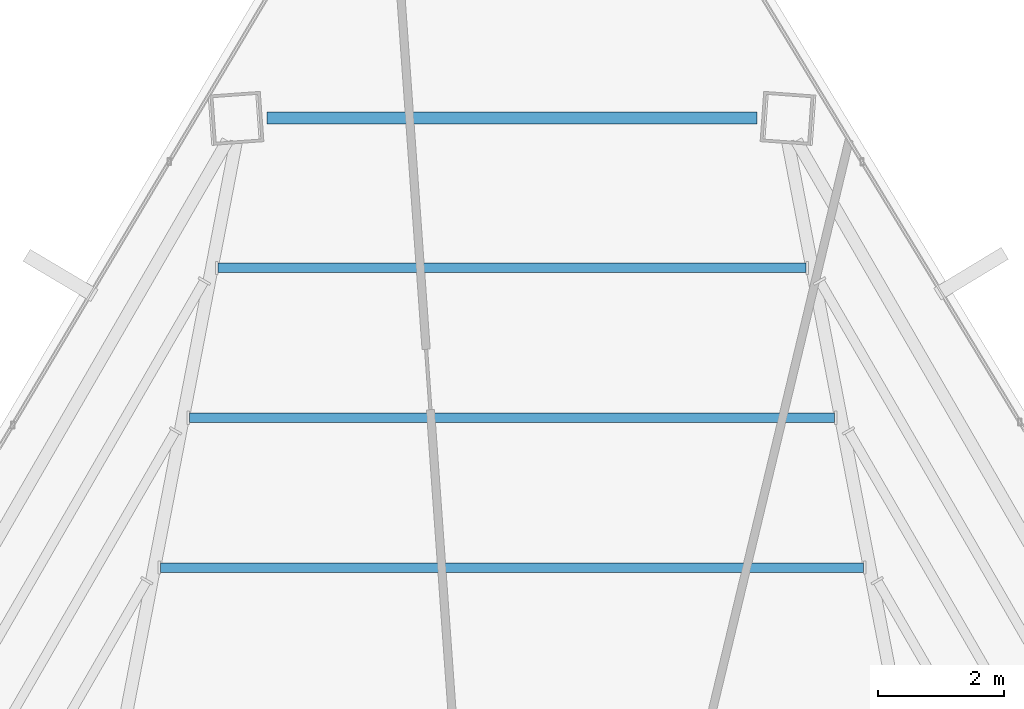
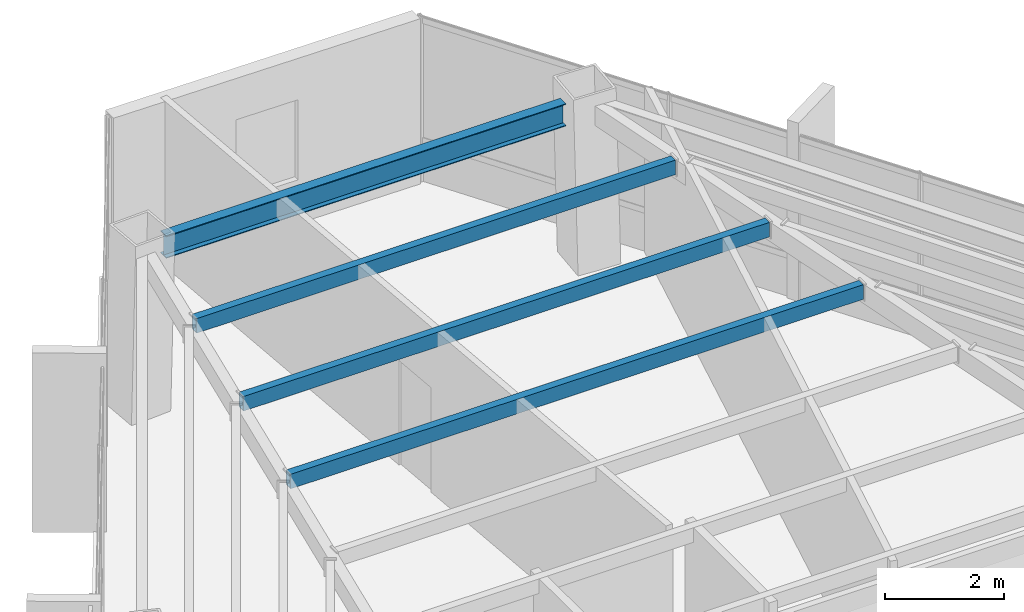
# One storey, part 34 of 49: 4 beams.
"""IFC4 building model written with IfcOpenShell, lengths in metres."""

from ifc_helpers import new_model, si_unit, direction, frame, origin, origin_2d, place, context, subcontext, project, spatial, hollow_rectangle, i_section, extrude, source, transform, mapped, material, material_profile, profile_set, type_object, type_shapes, element, save


model = new_model("IFC4")

# Units and contexts
model_context = context("Model", 3, precision=1e-05, world=origin(), true_north=direction((0.0, 1.0)))
body_context = subcontext(model_context, "Body", "Model", "MODEL_VIEW")
ifc_project = project(units=[si_unit("LENGTHUNIT", "METRE"), si_unit("AREAUNIT", "SQUARE_METRE"), si_unit("VOLUMEUNIT", "CUBIC_METRE"), si_unit("PLANEANGLEUNIT", "RADIAN"), si_unit("MASSUNIT", "GRAM", prefix="KILO")], contexts=[model_context])

# Site, building, storey
site_placement = place(None, origin())
site = spatial("IfcSite", under=ifc_project, at=site_placement, CompositionType="ELEMENT")
building_placement = place(site_placement, origin())
building = spatial("IfcBuilding", under=site, at=building_placement, Name="Caelisora Broadcast Tower", CompositionType="ELEMENT")
storey_placement = place(building_placement, frame((0.0, 0.0, 233.5)))
storey = spatial("IfcBuildingStorey", under=building, at=storey_placement, Name="L61", CompositionType="ELEMENT", Elevation=233.5)

# Beams
ifc_material_1 = material(Name="Steel Grade 350 (AS/NZS 3679.1)", Category="steel")
ifc_material_profile_1 = material_profile(ifc_material_1, i_section(OverallWidth=0.19091796875, OverallDepth=0.46044921875, WebThickness=0.010009765625, FlangeThickness=0.01611328125, at=origin_2d()), Name="Steel Grade 350 (AS/NZS 3679.1)")
ifc_profile_set_1 = profile_set([ifc_material_profile_1], Name="Steel Grade 350 (AS/NZS 3679.1)")
beam_type_1 = type_object("IfcBeamType", Name="PG06", PredefinedType="BEAM", material=ifc_profile_set_1)
shared_shape_1 = source(origin(), body_context, "Body", "SweptSolid", [
    extrude(i_section(OverallWidth=0.19091796875, OverallDepth=0.46044921875, WebThickness=0.010009765625, FlangeThickness=0.01611328125, at=origin_2d()), origin(), (0.0, 0.0, 1.0), 7.77978515625),
])
type_shapes(beam_type_1, [shared_shape_1])
beam_1_placement = place(storey_placement, frame((41.889892578125, 46.640869140625, 3.169921875), z_axis=(-1.0, 0.0, 0.0), x_axis=(0.0, -1.0, 0.0)))
element("IfcBeam", 1, at=beam_1_placement, inside=storey, type_object=beam_type_1, Name="L61 beam PG06", PredefinedType="BEAM", context=body_context, shape_type="MappedRepresentation", body=[
    mapped(shared_shape_1, transform((0.0, 0.0, 0.0), scale=1.0)),
])
ifc_material_2 = material(Name="Steel Grade 350 (AS/NZS 1163 C350L0)", Category="steel")
ifc_material_profile_2 = material_profile(ifc_material_2, hollow_rectangle(XDim=0.14990234375, YDim=0.300048828125, WallThickness=0.010009765625, at=origin_2d()), Name="Steel Grade 350 (AS/NZS 1163 C350L0)")
ifc_profile_set_2 = profile_set([ifc_material_profile_2], Name="Steel Grade 350 (AS/NZS 1163 C350L0)")
beam_type_2 = type_object("IfcBeamType", Name="SB05", PredefinedType="JOIST", material=ifc_profile_set_2)
shared_shape_2 = source(origin(), body_context, "Body", "SweptSolid", [
    extrude(hollow_rectangle(XDim=0.14990234375, YDim=0.300048828125, WallThickness=0.010009765625, at=origin_2d()), origin(), (0.0, 0.0, 1.0), 11.15185546875),
])
beam_2_placement = place(storey_placement, frame((43.575927734375, 39.509033203125, 3.25), z_axis=(-1.0, 0.0, 0.0), x_axis=(0.0, -1.0, 0.0)))
element("IfcBeam", 2, at=beam_2_placement, inside=storey, type_object=beam_type_2, Name="L61 beam SB05", PredefinedType="JOIST", context=body_context, shape_type="MappedRepresentation", body=[
    mapped(shared_shape_2, transform((0.0, 0.0, 0.0), scale=1.0)),
])
shared_shape_3 = source(origin(), body_context, "Body", "SweptSolid", [
    extrude(hollow_rectangle(XDim=0.14990234375, YDim=0.300048828125, WallThickness=0.010009765625, at=origin_2d()), origin(), (0.0, 0.0, 1.0), 10.2392578125),
])
beam_3_placement = place(storey_placement, frame((43.11962890625, 41.88623046875, 3.25), z_axis=(-1.0, 0.0, 0.0), x_axis=(0.0, -1.0, 0.0)))
element("IfcBeam", 3, at=beam_3_placement, inside=storey, type_object=beam_type_2, Name="L61 beam SB05", PredefinedType="JOIST", context=body_context, shape_type="MappedRepresentation", body=[
    mapped(shared_shape_3, transform((0.0, 0.0, 0.0), scale=1.0)),
])
shared_shape_4 = source(origin(), body_context, "Body", "SweptSolid", [
    extrude(hollow_rectangle(XDim=0.14990234375, YDim=0.300048828125, WallThickness=0.010009765625, at=origin_2d()), origin(), (0.0, 0.0, 1.0), 9.32666015625),
])
type_shapes(beam_type_2, [shared_shape_2, shared_shape_3, shared_shape_4])
beam_4_placement = place(storey_placement, frame((42.663330078125, 44.263427734375, 3.25), z_axis=(-1.0, 0.0, 0.0), x_axis=(0.0, -1.0, 0.0)))
element("IfcBeam", 4, at=beam_4_placement, inside=storey, type_object=beam_type_2, Name="L61 beam SB05", PredefinedType="JOIST", context=body_context, shape_type="MappedRepresentation", body=[
    mapped(shared_shape_4, transform((0.0, 0.0, 0.0), scale=1.0)),
])

save(model, "model.ifc")
